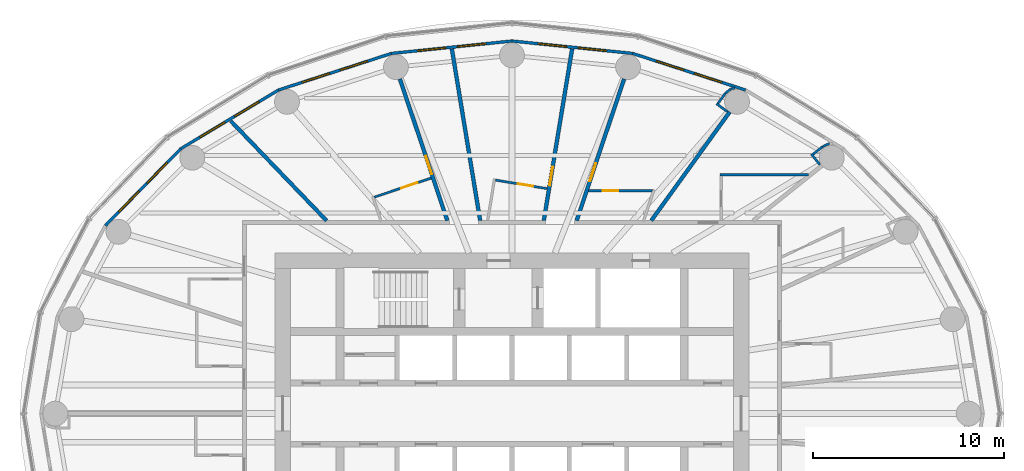
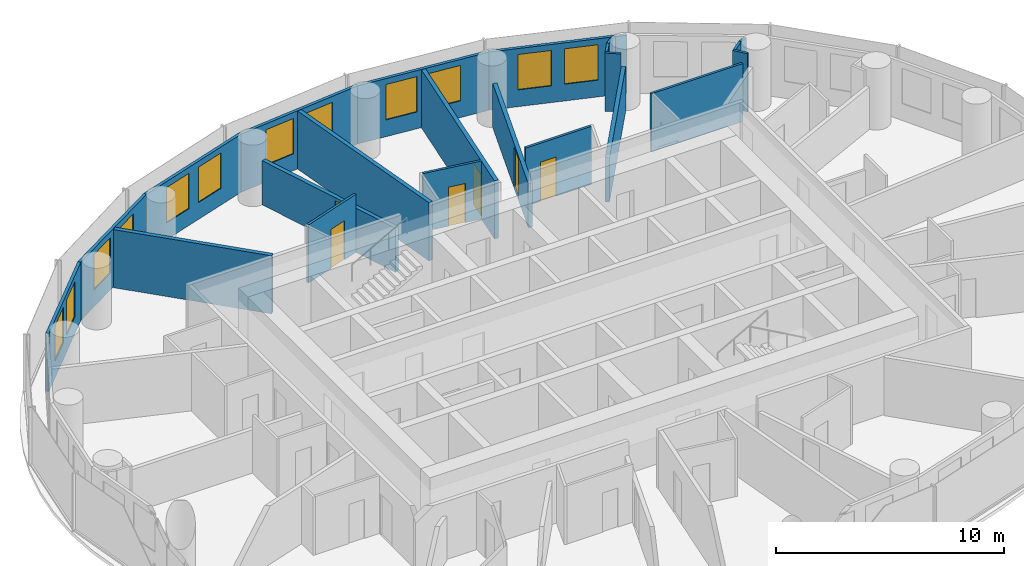
# One storey, part 11 of 13: 23 walls, 12 windows, 6 doors, 18 openings.
"""IFC4 building model written with IfcOpenShell, lengths in metres."""

from ifc_helpers import new_model, si_unit, direction, frame, frame_2d, origin, place, context, subcontext, project, spatial, rectangle, extrude, material, layer, layer_set, type_object, element, fill, save


model = new_model("IFC4")

# Units and contexts
model_context = context("Model", 3, precision=1e-05, world=origin(), true_north=direction((0.0, 1.0)))
body_context = subcontext(model_context, "Body", "Model", "MODEL_VIEW")
ifc_project = project(units=[si_unit("LENGTHUNIT", "METRE"), si_unit("AREAUNIT", "SQUARE_METRE"), si_unit("VOLUMEUNIT", "CUBIC_METRE"), si_unit("PLANEANGLEUNIT", "RADIAN"), si_unit("MASSUNIT", "GRAM", prefix="KILO")], contexts=[model_context])

# Site, building, storey
site_placement = place(None, origin())
site = spatial("IfcSite", under=ifc_project, at=site_placement, CompositionType="ELEMENT")
building_placement = place(site_placement, origin())
building = spatial("IfcBuilding", under=site, at=building_placement, Name="Hankou Lantern Tower", CompositionType="ELEMENT")
storey_placement = place(building_placement, frame((0.0, 0.0, 122.10009765625)))
storey = spatial("IfcBuildingStorey", under=building, at=storey_placement, Name="L31", CompositionType="ELEMENT", Elevation=122.10009765625)

# Wall, openings, windows
ifc_material_1 = material(Name="Aluminium spandrel panel on steel studs", Category="steel")
ifc_layer_1 = layer(ifc_material_1, 0.14990234375)
ifc_layer_set_1 = layer_set([ifc_layer_1], Name="Aluminium spandrel panel on steel studs")
wall_type_1 = type_object("IfcWallType", Name="EW1 INNER SKIN WALL 150", PredefinedType="ELEMENTEDWALL", material=ifc_layer_set_1)
wall_1_placement = place(storey_placement, frame((12.221435546875, 16.9345703125, 0.0), z_axis=(0.0, 0.0, 1.0), x_axis=(-0.951272691506, 0.308350881944, 0.0)))
wall_1 = element("IfcWall", 1, at=wall_1_placement, inside=storey, type_object=wall_type_1, Name="Inner skin R05-R06 L31", PredefinedType="ELEMENTEDWALL", context=body_context, shape_type="SweptSolid", body=[
    extrude(rectangle(XDim=6.210693359375, YDim=0.14990234375, at=frame_2d((3.10546875, 0.0))), origin(), (0.0, 0.0, 1.0), 3.119873046875),
])
opening_1_placement = place(wall_1_placement, frame((1.305419921875, 0.0, 0.89990234375)))
opening_1 = element("IfcOpeningElement", 2, at=opening_1_placement, cuts=wall_1, Name="Opening W2", PredefinedType="OPENING", context=body_context, shape_type="SweptSolid", body=[
    extrude(rectangle(XDim=1.5, YDim=1.89990234375, at=frame_2d((0.75, 0.949951171875))), frame((0.0, 0.0849609375, 0.0), z_axis=(0.0, -1.0, 0.0), x_axis=(1.0, 0.0, 0.0)), (0.0, 0.0, 1.0), 0.169921875),
])
opening_2_placement = place(wall_1_placement, frame((3.4052734375, 0.0, 0.89990234375)))
opening_2 = element("IfcOpeningElement", 3, at=opening_2_placement, cuts=wall_1, Name="Opening W2", PredefinedType="OPENING", context=body_context, shape_type="SweptSolid", body=[
    extrude(rectangle(XDim=1.5, YDim=1.89990234375, at=frame_2d((0.75, 0.949951171875))), frame((0.0, 0.0849609375, 0.0), z_axis=(0.0, -1.0, 0.0), x_axis=(1.0, 0.0, 0.0)), (0.0, 0.0, 1.0), 0.169921875),
])
ifc_material_2 = material(Name="Aluminium framed double glazed window", Category="aluminium")
window_type = type_object("IfcWindowType", Name="W2 GUEST ROOM WINDOW 1500X1900", PartitioningType="DOUBLE_PANEL_VERTICAL", PredefinedType="WINDOW", material=ifc_material_2)
window_1_placement = place(opening_1_placement, origin())
window_1 = element("IfcWindow", 4, at=window_1_placement, inside=storey, type_object=window_type, Name="Window R05.1 L31", OverallHeight=1.89990234375, OverallWidth=1.5, PartitioningType="SINGLE_PANEL", PredefinedType="WINDOW", context=body_context, shape_type="SweptSolid", body=[
    extrude(rectangle(XDim=1.5, YDim=1.89990234375, at=frame_2d((0.75, 0.949951171875))), frame((0.0, 0.030029296875, 0.0), z_axis=(0.0, -1.0, 0.0), x_axis=(1.0, 0.0, 0.0)), (0.0, 0.0, 1.0), 0.06005859375),
])
fill(opening_1, window_1)
window_2_placement = place(opening_2_placement, origin())
window_2 = element("IfcWindow", 5, at=window_2_placement, inside=storey, type_object=window_type, Name="Window R05.2 L31", OverallHeight=1.89990234375, OverallWidth=1.5, PartitioningType="SINGLE_PANEL", PredefinedType="WINDOW", context=body_context, shape_type="SweptSolid", body=[
    extrude(rectangle(XDim=1.5, YDim=1.89990234375, at=frame_2d((0.75, 0.949951171875))), frame((0.0, 0.030029296875, 0.0), z_axis=(0.0, -1.0, 0.0), x_axis=(1.0, 0.0, 0.0)), (0.0, 0.0, 1.0), 0.06005859375),
])
fill(opening_2, window_2)

wall_2_placement = place(storey_placement, frame((6.3134765625, 18.849609375, 0.0), z_axis=(0.0, 0.0, 1.0), x_axis=(-0.994735690163, 0.102473931887, 0.0)))
wall_2 = element("IfcWall", 6, at=wall_2_placement, inside=storey, type_object=wall_type_1, Name="Inner skin R06-R07 L31", PredefinedType="ELEMENTEDWALL", context=body_context, shape_type="SweptSolid", body=[
    extrude(rectangle(XDim=6.346923828125, YDim=0.14990234375, at=frame_2d((3.17333984375, 0.0))), origin(), (0.0, 0.0, 1.0), 3.119873046875),
])
opening_3_placement = place(wall_2_placement, frame((1.373291015625, 0.0, 0.89990234375)))
opening_3 = element("IfcOpeningElement", 7, at=opening_3_placement, cuts=wall_2, Name="Opening W2", PredefinedType="OPENING", context=body_context, shape_type="SweptSolid", body=[
    extrude(rectangle(XDim=1.5, YDim=1.89990234375, at=frame_2d((0.75, 0.949951171875))), frame((0.0, 0.0849609375, 0.0), z_axis=(0.0, -1.0, 0.0), x_axis=(1.0, 0.0, 0.0)), (0.0, 0.0, 1.0), 0.169921875),
])
opening_4_placement = place(wall_2_placement, frame((3.473388671875, 0.0, 0.89990234375)))
opening_4 = element("IfcOpeningElement", 8, at=opening_4_placement, cuts=wall_2, Name="Opening W2", PredefinedType="OPENING", context=body_context, shape_type="SweptSolid", body=[
    extrude(rectangle(XDim=1.5, YDim=1.89990234375, at=frame_2d((0.75, 0.949951171875))), frame((0.0, 0.0849609375, 0.0), z_axis=(0.0, -1.0, 0.0), x_axis=(1.0, 0.0, 0.0)), (0.0, 0.0, 1.0), 0.169921875),
])
window_3_placement = place(opening_3_placement, origin())
window_3 = element("IfcWindow", 9, at=window_3_placement, inside=storey, type_object=window_type, Name="Window R06.1 L31", OverallHeight=1.89990234375, OverallWidth=1.5, PartitioningType="SINGLE_PANEL", PredefinedType="WINDOW", context=body_context, shape_type="SweptSolid", body=[
    extrude(rectangle(XDim=1.5, YDim=1.89990234375, at=frame_2d((0.75, 0.949951171875))), frame((0.0, 0.030029296875, 0.0), z_axis=(0.0, -1.0, 0.0), x_axis=(1.0, 0.0, 0.0)), (0.0, 0.0, 1.0), 0.06005859375),
])
fill(opening_3, window_3)
window_4_placement = place(opening_4_placement, origin())
window_4 = element("IfcWindow", 10, at=window_4_placement, inside=storey, type_object=window_type, Name="Window R06.2 L31", OverallHeight=1.89990234375, OverallWidth=1.5, PartitioningType="SINGLE_PANEL", PredefinedType="WINDOW", context=body_context, shape_type="SweptSolid", body=[
    extrude(rectangle(XDim=1.5, YDim=1.89990234375, at=frame_2d((0.75, 0.949951171875))), frame((0.0, 0.030029296875, 0.0), z_axis=(0.0, -1.0, 0.0), x_axis=(1.0, 0.0, 0.0)), (0.0, 0.0, 1.0), 0.06005859375),
])
fill(opening_4, window_4)

wall_3_placement = place(storey_placement, frame((0.0, 19.5, 0.0), z_axis=(0.0, 0.0, 1.0), x_axis=(-0.994735690163, -0.102473931887, 0.0)))
wall_3 = element("IfcWall", 11, at=wall_3_placement, inside=storey, type_object=wall_type_1, Name="Inner skin R07-R08 L31", PredefinedType="ELEMENTEDWALL", context=body_context, shape_type="SweptSolid", body=[
    extrude(rectangle(XDim=6.346923828125, YDim=0.14990234375, at=frame_2d((3.17333984375, 0.0))), origin(), (0.0, 0.0, 1.0), 3.119873046875),
])
opening_5_placement = place(wall_3_placement, frame((1.373291015625, 0.0, 0.89990234375)))
opening_5 = element("IfcOpeningElement", 12, at=opening_5_placement, cuts=wall_3, Name="Opening W2", PredefinedType="OPENING", context=body_context, shape_type="SweptSolid", body=[
    extrude(rectangle(XDim=1.5, YDim=1.89990234375, at=frame_2d((0.75, 0.949951171875))), frame((0.0, 0.0849609375, 0.0), z_axis=(0.0, -1.0, 0.0), x_axis=(1.0, 0.0, 0.0)), (0.0, 0.0, 1.0), 0.169921875),
])
opening_6_placement = place(wall_3_placement, frame((3.473388671875, 0.0, 0.89990234375)))
opening_6 = element("IfcOpeningElement", 13, at=opening_6_placement, cuts=wall_3, Name="Opening W2", PredefinedType="OPENING", context=body_context, shape_type="SweptSolid", body=[
    extrude(rectangle(XDim=1.5, YDim=1.89990234375, at=frame_2d((0.75, 0.949951171875))), frame((0.0, 0.0849609375, 0.0), z_axis=(0.0, -1.0, 0.0), x_axis=(1.0, 0.0, 0.0)), (0.0, 0.0, 1.0), 0.169921875),
])
window_5_placement = place(opening_5_placement, origin())
window_5 = element("IfcWindow", 14, at=window_5_placement, inside=storey, type_object=window_type, Name="Window R07.1 L31", OverallHeight=1.89990234375, OverallWidth=1.5, PartitioningType="SINGLE_PANEL", PredefinedType="WINDOW", context=body_context, shape_type="SweptSolid", body=[
    extrude(rectangle(XDim=1.5, YDim=1.89990234375, at=frame_2d((0.75, 0.949951171875))), frame((0.0, 0.030029296875, 0.0), z_axis=(0.0, -1.0, 0.0), x_axis=(1.0, 0.0, 0.0)), (0.0, 0.0, 1.0), 0.06005859375),
])
fill(opening_5, window_5)
window_6_placement = place(opening_6_placement, origin())
window_6 = element("IfcWindow", 15, at=window_6_placement, inside=storey, type_object=window_type, Name="Window R07.2 L31", OverallHeight=1.89990234375, OverallWidth=1.5, PartitioningType="SINGLE_PANEL", PredefinedType="WINDOW", context=body_context, shape_type="SweptSolid", body=[
    extrude(rectangle(XDim=1.5, YDim=1.89990234375, at=frame_2d((0.75, 0.949951171875))), frame((0.0, 0.030029296875, 0.0), z_axis=(0.0, -1.0, 0.0), x_axis=(1.0, 0.0, 0.0)), (0.0, 0.0, 1.0), 0.06005859375),
])
fill(opening_6, window_6)

wall_4_placement = place(storey_placement, frame((-6.3134765625, 18.849609375, 0.0), z_axis=(0.0, 0.0, 1.0), x_axis=(-0.951272691506, -0.308350881944, 0.0)))
wall_4 = element("IfcWall", 16, at=wall_4_placement, inside=storey, type_object=wall_type_1, Name="Inner skin R08-R09 L31", PredefinedType="ELEMENTEDWALL", context=body_context, shape_type="SweptSolid", body=[
    extrude(rectangle(XDim=6.210693359375, YDim=0.14990234375, at=frame_2d((3.10546875, 0.0))), origin(), (0.0, 0.0, 1.0), 3.119873046875),
])
opening_7_placement = place(wall_4_placement, frame((1.305419921875, 0.0, 0.89990234375)))
opening_7 = element("IfcOpeningElement", 17, at=opening_7_placement, cuts=wall_4, Name="Opening W2", PredefinedType="OPENING", context=body_context, shape_type="SweptSolid", body=[
    extrude(rectangle(XDim=1.5, YDim=1.89990234375, at=frame_2d((0.75, 0.949951171875))), frame((0.0, 0.0849609375, 0.0), z_axis=(0.0, -1.0, 0.0), x_axis=(1.0, 0.0, 0.0)), (0.0, 0.0, 1.0), 0.169921875),
])
opening_8_placement = place(wall_4_placement, frame((3.4052734375, 0.0, 0.89990234375)))
opening_8 = element("IfcOpeningElement", 18, at=opening_8_placement, cuts=wall_4, Name="Opening W2", PredefinedType="OPENING", context=body_context, shape_type="SweptSolid", body=[
    extrude(rectangle(XDim=1.5, YDim=1.89990234375, at=frame_2d((0.75, 0.949951171875))), frame((0.0, 0.0849609375, 0.0), z_axis=(0.0, -1.0, 0.0), x_axis=(1.0, 0.0, 0.0)), (0.0, 0.0, 1.0), 0.169921875),
])
window_7_placement = place(opening_7_placement, origin())
window_7 = element("IfcWindow", 19, at=window_7_placement, inside=storey, type_object=window_type, Name="Window R08.1 L31", OverallHeight=1.89990234375, OverallWidth=1.5, PartitioningType="SINGLE_PANEL", PredefinedType="WINDOW", context=body_context, shape_type="SweptSolid", body=[
    extrude(rectangle(XDim=1.5, YDim=1.89990234375, at=frame_2d((0.75, 0.949951171875))), frame((0.0, 0.030029296875, 0.0), z_axis=(0.0, -1.0, 0.0), x_axis=(1.0, 0.0, 0.0)), (0.0, 0.0, 1.0), 0.06005859375),
])
fill(opening_7, window_7)
window_8_placement = place(opening_8_placement, origin())
window_8 = element("IfcWindow", 20, at=window_8_placement, inside=storey, type_object=window_type, Name="Window R08.2 L31", OverallHeight=1.89990234375, OverallWidth=1.5, PartitioningType="SINGLE_PANEL", PredefinedType="WINDOW", context=body_context, shape_type="SweptSolid", body=[
    extrude(rectangle(XDim=1.5, YDim=1.89990234375, at=frame_2d((0.75, 0.949951171875))), frame((0.0, 0.030029296875, 0.0), z_axis=(0.0, -1.0, 0.0), x_axis=(1.0, 0.0, 0.0)), (0.0, 0.0, 1.0), 0.06005859375),
])
fill(opening_8, window_8)

wall_5_placement = place(storey_placement, frame((-12.221435546875, 16.9345703125, 0.0), z_axis=(0.0, 0.0, 1.0), x_axis=(-0.857308573723, -0.514802884044, 0.0)))
wall_5 = element("IfcWall", 21, at=wall_5_placement, inside=storey, type_object=wall_type_1, Name="Inner skin R09-R10 L31", PredefinedType="ELEMENTEDWALL", context=body_context, shape_type="SweptSolid", body=[
    extrude(rectangle(XDim=5.961181640625, YDim=0.14990234375, at=frame_2d((2.98046875, 0.0))), origin(), (0.0, 0.0, 1.0), 3.119873046875),
])
opening_9_placement = place(wall_5_placement, frame((1.1806640625, 0.0, 0.89990234375)))
opening_9 = element("IfcOpeningElement", 22, at=opening_9_placement, cuts=wall_5, Name="Opening W2", PredefinedType="OPENING", context=body_context, shape_type="SweptSolid", body=[
    extrude(rectangle(XDim=1.5, YDim=1.89990234375, at=frame_2d((0.75, 0.949951171875))), frame((0.0, 0.0849609375, 0.0), z_axis=(0.0, -1.0, 0.0), x_axis=(1.0, 0.0, 0.0)), (0.0, 0.0, 1.0), 0.169921875),
])
opening_10_placement = place(wall_5_placement, frame((3.280517578125, 0.0, 0.89990234375)))
opening_10 = element("IfcOpeningElement", 23, at=opening_10_placement, cuts=wall_5, Name="Opening W2", PredefinedType="OPENING", context=body_context, shape_type="SweptSolid", body=[
    extrude(rectangle(XDim=1.5, YDim=1.89990234375, at=frame_2d((0.75, 0.949951171875))), frame((0.0, 0.0849609375, 0.0), z_axis=(0.0, -1.0, 0.0), x_axis=(1.0, 0.0, 0.0)), (0.0, 0.0, 1.0), 0.169921875),
])
window_9_placement = place(opening_9_placement, origin())
window_9 = element("IfcWindow", 24, at=window_9_placement, inside=storey, type_object=window_type, Name="Window R09.1 L31", OverallHeight=1.89990234375, OverallWidth=1.5, PartitioningType="SINGLE_PANEL", PredefinedType="WINDOW", context=body_context, shape_type="SweptSolid", body=[
    extrude(rectangle(XDim=1.5, YDim=1.89990234375, at=frame_2d((0.75, 0.949951171875))), frame((0.0, 0.030029296875, 0.0), z_axis=(0.0, -1.0, 0.0), x_axis=(1.0, 0.0, 0.0)), (0.0, 0.0, 1.0), 0.06005859375),
])
fill(opening_9, window_9)
window_10_placement = place(opening_10_placement, origin())
window_10 = element("IfcWindow", 25, at=window_10_placement, inside=storey, type_object=window_type, Name="Window R09.2 L31", OverallHeight=1.89990234375, OverallWidth=1.5, PartitioningType="SINGLE_PANEL", PredefinedType="WINDOW", context=body_context, shape_type="SweptSolid", body=[
    extrude(rectangle(XDim=1.5, YDim=1.89990234375, at=frame_2d((0.75, 0.949951171875))), frame((0.0, 0.030029296875, 0.0), z_axis=(0.0, -1.0, 0.0), x_axis=(1.0, 0.0, 0.0)), (0.0, 0.0, 1.0), 0.06005859375),
])
fill(opening_10, window_10)

wall_6_placement = place(storey_placement, frame((-17.33203125, 13.86572265625, 0.0), z_axis=(0.0, 0.0, 1.0), x_axis=(-0.700136650834, -0.714008872605, 0.0)))
wall_6 = element("IfcWall", 26, at=wall_6_placement, inside=storey, type_object=wall_type_1, Name="Inner skin R10-R11 L31", PredefinedType="ELEMENTEDWALL", context=body_context, shape_type="SweptSolid", body=[
    extrude(rectangle(XDim=5.6494140625, YDim=0.14990234375, at=frame_2d((2.82470703125, 0.0))), origin(), (0.0, 0.0, 1.0), 3.119873046875),
])
opening_11_placement = place(wall_6_placement, frame((1.024658203125, 0.0, 0.89990234375)))
opening_11 = element("IfcOpeningElement", 27, at=opening_11_placement, cuts=wall_6, Name="Opening W2", PredefinedType="OPENING", context=body_context, shape_type="SweptSolid", body=[
    extrude(rectangle(XDim=1.5, YDim=1.89990234375, at=frame_2d((0.75, 0.949951171875))), frame((0.0, 0.0849609375, 0.0), z_axis=(0.0, -1.0, 0.0), x_axis=(1.0, 0.0, 0.0)), (0.0, 0.0, 1.0), 0.169921875),
])
opening_12_placement = place(wall_6_placement, frame((3.12451171875, 0.0, 0.89990234375)))
opening_12 = element("IfcOpeningElement", 28, at=opening_12_placement, cuts=wall_6, Name="Opening W2", PredefinedType="OPENING", context=body_context, shape_type="SweptSolid", body=[
    extrude(rectangle(XDim=1.5, YDim=1.89990234375, at=frame_2d((0.75, 0.949951171875))), frame((0.0, 0.0849609375, 0.0), z_axis=(0.0, -1.0, 0.0), x_axis=(1.0, 0.0, 0.0)), (0.0, 0.0, 1.0), 0.169921875),
])
window_11_placement = place(opening_11_placement, origin())
window_11 = element("IfcWindow", 29, at=window_11_placement, inside=storey, type_object=window_type, Name="Window R10.1 L31", OverallHeight=1.89990234375, OverallWidth=1.5, PartitioningType="SINGLE_PANEL", PredefinedType="WINDOW", context=body_context, shape_type="SweptSolid", body=[
    extrude(rectangle(XDim=1.5, YDim=1.89990234375, at=frame_2d((0.75, 0.949951171875))), frame((0.0, 0.030029296875, 0.0), z_axis=(0.0, -1.0, 0.0), x_axis=(1.0, 0.0, 0.0)), (0.0, 0.0, 1.0), 0.06005859375),
])
fill(opening_11, window_11)
window_12_placement = place(opening_12_placement, origin())
window_12 = element("IfcWindow", 30, at=window_12_placement, inside=storey, type_object=window_type, Name="Window R10.2 L31", OverallHeight=1.89990234375, OverallWidth=1.5, PartitioningType="SINGLE_PANEL", PredefinedType="WINDOW", context=body_context, shape_type="SweptSolid", body=[
    extrude(rectangle(XDim=1.5, YDim=1.89990234375, at=frame_2d((0.75, 0.949951171875))), frame((0.0, 0.030029296875, 0.0), z_axis=(0.0, -1.0, 0.0), x_axis=(1.0, 0.0, 0.0)), (0.0, 0.0, 1.0), 0.06005859375),
])
fill(opening_12, window_12)

# Walls
ifc_material_3 = material(Name="Masonry lightweight concrete block", Category="masonry")
ifc_layer_2 = layer(ifc_material_3, 0.199951171875)
ifc_layer_set_2 = layer_set([ifc_layer_2], Name="Masonry lightweight concrete block")
wall_type_2 = type_object("IfcWallType", Name="IW1 GUEST ROOM PARTY WALL 200", PredefinedType="PARTITIONING", material=ifc_layer_set_2)
wall_7_placement = place(storey_placement, frame((7.2890625, 10.10009765625, 0.0), z_axis=(0.0, 0.0, 1.0), x_axis=(0.585217367024, 0.81087645997, 0.0)))
element("IfcWall", 31, at=wall_7_placement, inside=storey, type_object=wall_type_2, Name="Party wall R05", PredefinedType="PARTITIONING", context=body_context, shape_type="SweptSolid", body=[
    extrude(rectangle(XDim=7.01611328125, YDim=0.199951171875, at=frame_2d((3.508056640625, 0.0))), origin(), (0.0, 0.0, 1.0), 2.369873046875),
])
wall_8_placement = place(storey_placement, frame((-9.706298828125, 10.10009765625, 0.0), z_axis=(0.0, 0.0, 1.0), x_axis=(-0.692944801824, 0.720990639069, 0.0)))
element("IfcWall", 32, at=wall_8_placement, inside=storey, type_object=wall_type_2, Name="Party wall R09-R10", PredefinedType="PARTITIONING", context=body_context, shape_type="SweptSolid", body=[
    extrude(rectangle(XDim=7.23388671875, YDim=0.199951171875, at=frame_2d((3.616943359375, 0.0))), origin(), (0.0, 0.0, 1.0), 3.119873046875),
])

# Wall, opening, door
ifc_material_4 = material(Name="Masonry lightweight concrete block", Category="masonry")
ifc_layer_3 = layer(ifc_material_4, 0.199951171875)
ifc_layer_set_3 = layer_set([ifc_layer_3], Name="Masonry lightweight concrete block")
wall_type_3 = type_object("IfcWallType", Name="IW2 CORRIDOR WALL 200", PredefinedType="PARTITIONING", material=ifc_layer_set_3)
wall_9_placement = place(storey_placement, frame((3.3828125, 10.10009765625, 0.0), z_axis=(0.0, 0.0, 1.0), x_axis=(0.317603705574, 0.948223542318, 0.0)))
wall_9 = element("IfcWall", 33, at=wall_9_placement, inside=storey, type_object=wall_type_3, Name="Corridor spur wall R06", PredefinedType="PARTITIONING", context=body_context, shape_type="SweptSolid", body=[
    extrude(rectangle(XDim=7.822998046875, YDim=0.199951171875, at=frame_2d((3.91162109375, 0.0))), origin(), (0.0, 0.0, 1.0), 2.369873046875),
])
opening_13_placement = place(wall_9_placement, frame((2.168212890625, 0.0, 0.0)))
opening_13 = element("IfcOpeningElement", 34, at=opening_13_placement, cuts=wall_9, Name="Opening D1", PredefinedType="OPENING", context=body_context, shape_type="SweptSolid", body=[
    extrude(rectangle(XDim=1.0, YDim=2.199951171875, at=frame_2d((0.5, 1.10009765625))), frame((0.0, 0.10986328125, 0.0), z_axis=(0.0, -1.0, 0.0), x_axis=(1.0, 0.0, 0.0)), (0.0, 0.0, 1.0), 0.219970703125),
])
ifc_material_5 = material(Name="Steel door leaf", Category="steel")
door_type_1 = type_object("IfcDoorType", Name="D1 GUEST ROOM DOOR 1000X2200", OperationType="SINGLE_SWING_LEFT", PredefinedType="DOOR", material=ifc_material_5)
door_1_placement = place(opening_13_placement, origin())
door_1 = element("IfcDoor", 35, at=door_1_placement, inside=storey, type_object=door_type_1, Name="Guest room door 3120", OperationType="SINGLE_SWING_LEFT", OverallHeight=2.199951171875, OverallWidth=1.0, PredefinedType="DOOR", context=body_context, shape_type="SweptSolid", body=[
    extrude(rectangle(XDim=1.0, YDim=2.199951171875, at=frame_2d((0.5, 1.10009765625))), frame((0.0, 0.02490234375, 0.0), z_axis=(0.0, -1.0, 0.0), x_axis=(1.0, 0.0, 0.0)), (0.0, 0.0, 1.0), 0.050048828125),
])
fill(opening_13, door_1)

wall_10_placement = place(storey_placement, frame((1.665283203125, 10.10009765625, 0.0), z_axis=(0.0, 0.0, 1.0), x_axis=(0.162660519103, 0.986682094459, 0.0)))
wall_10 = element("IfcWall", 36, at=wall_10_placement, inside=storey, type_object=wall_type_3, Name="Corridor spur wall R06-R07", PredefinedType="PARTITIONING", context=body_context, shape_type="SweptSolid", body=[
    extrude(rectangle(XDim=9.110595703125, YDim=0.199951171875, at=frame_2d((4.55517578125, 0.0))), origin(), (0.0, 0.0, 1.0), 3.119873046875),
])
opening_14_placement = place(wall_10_placement, frame((1.860107421875, 0.0, 0.0)))
opening_14 = element("IfcOpeningElement", 37, at=opening_14_placement, cuts=wall_10, Name="Opening D1", PredefinedType="OPENING", context=body_context, shape_type="SweptSolid", body=[
    extrude(rectangle(XDim=1.0, YDim=2.199951171875, at=frame_2d((0.5, 1.10009765625))), frame((0.0, 0.10986328125, 0.0), z_axis=(0.0, -1.0, 0.0), x_axis=(1.0, 0.0, 0.0)), (0.0, 0.0, 1.0), 0.219970703125),
])
door_2_placement = place(opening_14_placement, origin())
door_2 = element("IfcDoor", 38, at=door_2_placement, inside=storey, type_object=door_type_1, Name="Guest room door 3102", OperationType="SINGLE_SWING_LEFT", OverallHeight=2.199951171875, OverallWidth=1.0, PredefinedType="DOOR", context=body_context, shape_type="SweptSolid", body=[
    extrude(rectangle(XDim=1.0, YDim=2.199951171875, at=frame_2d((0.5, 1.10009765625))), frame((0.0, 0.02490234375, 0.0), z_axis=(0.0, -1.0, 0.0), x_axis=(1.0, 0.0, 0.0)), (0.0, 0.0, 1.0), 0.050048828125),
])
fill(opening_14, door_2)

# Wall
wall_11_placement = place(storey_placement, frame((-1.665283203125, 10.10009765625, 0.0), z_axis=(0.0, 0.0, 1.0), x_axis=(-0.162660519103, 0.986682094459, 0.0)))
element("IfcWall", 39, at=wall_11_placement, inside=storey, type_object=wall_type_3, Name="Corridor spur wall R07-R08", PredefinedType="PARTITIONING", context=body_context, shape_type="SweptSolid", body=[
    extrude(rectangle(XDim=9.110595703125, YDim=0.199951171875, at=frame_2d((4.55517578125, 0.0))), origin(), (0.0, 0.0, 1.0), 3.119873046875),
])

# Wall, opening, door
wall_12_placement = place(storey_placement, frame((-3.3828125, 10.10009765625, 0.0), z_axis=(0.0, 0.0, 1.0), x_axis=(-0.317603705574, 0.948223542318, 0.0)))
wall_12 = element("IfcWall", 40, at=wall_12_placement, inside=storey, type_object=wall_type_3, Name="Corridor spur wall R08", PredefinedType="PARTITIONING", context=body_context, shape_type="SweptSolid", body=[
    extrude(rectangle(XDim=7.822998046875, YDim=0.199951171875, at=frame_2d((3.91162109375, 0.0))), origin(), (0.0, 0.0, 1.0), 2.369873046875),
])
opening_15_placement = place(wall_12_placement, frame((2.56005859375, 0.0, 0.0)))
opening_15 = element("IfcOpeningElement", 41, at=opening_15_placement, cuts=wall_12, Name="Opening D1", PredefinedType="OPENING", context=body_context, shape_type="SweptSolid", body=[
    extrude(rectangle(XDim=1.0, YDim=2.199951171875, at=frame_2d((0.5, 1.10009765625))), frame((0.0, 0.10986328125, 0.0), z_axis=(0.0, -1.0, 0.0), x_axis=(1.0, 0.0, 0.0)), (0.0, 0.0, 1.0), 0.219970703125),
])
door_3_placement = place(opening_15_placement, origin())
door_3 = element("IfcDoor", 42, at=door_3_placement, inside=storey, type_object=door_type_1, Name="Guest room door 3104", OperationType="SINGLE_SWING_LEFT", OverallHeight=2.199951171875, OverallWidth=1.0, PredefinedType="DOOR", context=body_context, shape_type="SweptSolid", body=[
    extrude(rectangle(XDim=1.0, YDim=2.199951171875, at=frame_2d((0.5, 1.10009765625))), frame((0.0, 0.02490234375, 0.0), z_axis=(0.0, -1.0, 0.0), x_axis=(1.0, 0.0, 0.0)), (0.0, 0.0, 1.0), 0.050048828125),
])
fill(opening_15, door_3)

ifc_material_6 = material(Name="Masonry lightweight concrete block", Category="masonry")
ifc_layer_4 = layer(ifc_material_6, 0.1201171875)
ifc_layer_set_4 = layer_set([ifc_layer_4], Name="Masonry lightweight concrete block")
wall_type_4 = type_object("IfcWallType", Name="IW3 BATHROOM WALL 120", PredefinedType="PARTITIONING", material=ifc_layer_set_4)
wall_13_placement = place(storey_placement, frame((1.83984375, 11.77392578125, 0.0), z_axis=(0.0, 0.0, 1.0), x_axis=(-0.986676602341, 0.162693830222, 0.0)))
wall_13 = element("IfcWall", 43, at=wall_13_placement, inside=storey, type_object=wall_type_4, Name="Box wall 3102 1", PredefinedType="PARTITIONING", context=body_context, shape_type="SweptSolid", body=[
    extrude(rectangle(XDim=2.740234375, YDim=0.1201171875, at=frame_2d((1.3701171875, 0.0))), origin(), (0.0, 0.0, 1.0), 3.119873046875),
])
opening_16_placement = place(wall_13_placement, frame((0.75, 0.0, 0.0)))
opening_16 = element("IfcOpeningElement", 44, at=opening_16_placement, cuts=wall_13, Name="Opening D3", PredefinedType="OPENING", context=body_context, shape_type="SweptSolid", body=[
    extrude(rectangle(XDim=0.800048828125, YDim=2.10009765625, at=frame_2d((0.39990234375, 1.050048828125))), frame((0.0, 0.070068359375, 0.0), z_axis=(0.0, -1.0, 0.0), x_axis=(1.0, 0.0, 0.0)), (0.0, 0.0, 1.0), 0.14013671875),
])
ifc_material_7 = material(Name="Timber door leaf", Category="wood")
door_type_2 = type_object("IfcDoorType", Name="D3 BATHROOM DOOR 800X2100", OperationType="SINGLE_SWING_LEFT", PredefinedType="DOOR", material=ifc_material_7)
door_4_placement = place(opening_16_placement, origin())
door_4 = element("IfcDoor", 45, at=door_4_placement, inside=storey, type_object=door_type_2, Name="En-suite bathroom 3102 door", OperationType="SINGLE_SWING_LEFT", OverallHeight=2.10009765625, OverallWidth=0.800048828125, PredefinedType="DOOR", context=body_context, shape_type="SweptSolid", body=[
    extrude(rectangle(XDim=0.800048828125, YDim=2.10009765625, at=frame_2d((0.39990234375, 1.050048828125))), frame((0.0, 0.02490234375, 0.0), z_axis=(0.0, -1.0, 0.0), x_axis=(1.0, 0.0, 0.0)), (0.0, 0.0, 1.0), 0.050048828125),
])
fill(opening_16, door_4)

wall_14_placement = place(storey_placement, frame((-4.233642578125, 12.324951171875, 0.0), z_axis=(0.0, 0.0, 1.0), x_axis=(-0.948239154858, -0.317557089663, 0.0)))
wall_14 = element("IfcWall", 46, at=wall_14_placement, inside=storey, type_object=wall_type_4, Name="Box wall 3104 1", PredefinedType="PARTITIONING", context=body_context, shape_type="SweptSolid", body=[
    extrude(rectangle(XDim=3.139892578125, YDim=0.1201171875, at=frame_2d((1.56982421875, 0.0))), origin(), (0.0, 0.0, 1.0), 3.119873046875),
])
opening_17_placement = place(wall_14_placement, frame((0.75, 0.0, 0.0)))
opening_17 = element("IfcOpeningElement", 47, at=opening_17_placement, cuts=wall_14, Name="Opening D26", PredefinedType="OPENING", context=body_context, shape_type="SweptSolid", body=[
    extrude(rectangle(XDim=0.89990234375, YDim=2.10009765625, at=frame_2d((0.449951171875, 1.050048828125))), frame((0.0, 0.070068359375, 0.0), z_axis=(0.0, -1.0, 0.0), x_axis=(1.0, 0.0, 0.0)), (0.0, 0.0, 1.0), 0.14013671875),
])
ifc_material_8 = material(Name="Timber door leaf", Category="wood")
door_type_3 = type_object("IfcDoorType", Name="D26 ACCESSIBLE BATHROOM DOOR 900X2100", OperationType="SLIDING_TO_LEFT", PredefinedType="DOOR", material=ifc_material_8)
door_5_placement = place(opening_17_placement, origin())
door_5 = element("IfcDoor", 48, at=door_5_placement, inside=storey, type_object=door_type_3, Name="Accessible bathroom 3104 door", OperationType="SLIDING_TO_LEFT", OverallHeight=2.10009765625, OverallWidth=0.89990234375, PredefinedType="DOOR", context=body_context, shape_type="SweptSolid", body=[
    extrude(rectangle(XDim=0.89990234375, YDim=2.10009765625, at=frame_2d((0.449951171875, 1.050048828125))), frame((0.0, 0.02490234375, 0.0), z_axis=(0.0, -1.0, 0.0), x_axis=(1.0, 0.0, 0.0)), (0.0, 0.0, 1.0), 0.050048828125),
])
fill(opening_17, door_5)

# Wall
wall_15_placement = place(storey_placement, frame((15.52490234375, 12.5, 0.0), z_axis=(0.0, 0.0, 1.0), x_axis=(-1.0, 0.0, 0.0)))
element("IfcWall", 49, at=wall_15_placement, inside=storey, type_object=wall_type_4, Name="Box wall 3119 1", PredefinedType="PARTITIONING", context=body_context, shape_type="SweptSolid", body=[
    extrude(rectangle(XDim=4.639892578125, YDim=0.1201171875, at=frame_2d((2.31982421875, 0.0))), origin(), (0.0, 0.0, 1.0), 3.119873046875),
])

# Wall, opening, door
wall_16_placement = place(storey_placement, frame((4.01123046875, 11.661376953125, 0.0), z_axis=(0.0, 0.0, 1.0), x_axis=(1.0, 0.0, 0.0)))
wall_16 = element("IfcWall", 50, at=wall_16_placement, inside=storey, type_object=wall_type_4, Name="Box wall 3120 1", PredefinedType="PARTITIONING", context=body_context, shape_type="SweptSolid", body=[
    extrude(rectangle(XDim=3.340087890625, YDim=0.1201171875, at=frame_2d((1.669921875, 0.0))), origin(), (0.0, 0.0, 1.0), 3.119873046875),
])
opening_18_placement = place(wall_16_placement, frame((0.75, 0.0, 0.0)))
opening_18 = element("IfcOpeningElement", 51, at=opening_18_placement, cuts=wall_16, Name="Opening D3", PredefinedType="OPENING", context=body_context, shape_type="SweptSolid", body=[
    extrude(rectangle(XDim=0.800048828125, YDim=2.10009765625, at=frame_2d((0.39990234375, 1.050048828125))), frame((0.0, 0.070068359375, 0.0), z_axis=(0.0, -1.0, 0.0), x_axis=(1.0, 0.0, 0.0)), (0.0, 0.0, 1.0), 0.14013671875),
])
door_6_placement = place(opening_18_placement, origin())
door_6 = element("IfcDoor", 52, at=door_6_placement, inside=storey, type_object=door_type_2, Name="En-suite bathroom 3120 door", OperationType="SINGLE_SWING_LEFT", OverallHeight=2.10009765625, OverallWidth=0.800048828125, PredefinedType="DOOR", context=body_context, shape_type="SweptSolid", body=[
    extrude(rectangle(XDim=0.800048828125, YDim=2.10009765625, at=frame_2d((0.39990234375, 1.050048828125))), frame((0.0, 0.02490234375, 0.0), z_axis=(0.0, -1.0, 0.0), x_axis=(1.0, 0.0, 0.0)), (0.0, 0.0, 1.0), 0.050048828125),
])
fill(opening_18, door_6)

# Walls
ifc_material_9 = material(Name="Masonry lightweight concrete block", Category="masonry")
ifc_layer_5 = layer(ifc_material_9, 0.1201171875)
ifc_layer_set_5 = layer_set([ifc_layer_5], Name="Masonry lightweight concrete block")
wall_type_5 = type_object("IfcWallType", Name="IW4 PARTITION 120", PredefinedType="PARTITIONING", material=ifc_layer_set_5)
wall_17_placement = place(storey_placement, frame((16.116943359375, 13.021728515625, 0.0), z_axis=(0.0, 0.0, 1.0), x_axis=(-0.62465344249, 0.780902091677, 0.0)))
element("IfcWall", 53, at=wall_17_placement, inside=storey, type_object=wall_type_5, Name="Column casing R04 return", PredefinedType="PARTITIONING", context=body_context, shape_type="SweptSolid", body=[
    extrude(rectangle(XDim=0.715576171875, YDim=0.1201171875, at=frame_2d((0.35791015625, 0.0))), origin(), (0.0, 0.0, 1.0), 3.119873046875),
])
wall_18_placement = place(storey_placement, frame((15.754150390625, 13.5712890625, 0.0), z_axis=(0.0, 0.0, 1.0), x_axis=(0.780905453553, 0.624649239663, 0.0)))
element("IfcWall", 54, at=wall_18_placement, inside=storey, type_object=wall_type_5, Name="Column casing R04", PredefinedType="PARTITIONING", context=body_context, shape_type="SweptSolid", body=[
    extrude(rectangle(XDim=0.64990234375, YDim=0.1201171875, at=frame_2d((0.324951171875, 0.0))), origin(), (0.0, 0.0, 1.0), 3.119873046875),
])
wall_19_placement = place(storey_placement, frame((16.26171875, 13.977294921875, 0.0), z_axis=(0.0, 0.0, 1.0), x_axis=(0.915985403703, 0.401211590314, 0.0)))
element("IfcWall", 55, at=wall_19_placement, inside=storey, type_object=wall_type_5, Name="Column casing R04", PredefinedType="PARTITIONING", context=body_context, shape_type="SweptSolid", body=[
    extrude(rectangle(XDim=0.391357421875, YDim=0.1201171875, at=frame_2d((0.19580078125, 0.0))), origin(), (0.0, 0.0, 1.0), 3.119873046875),
])
wall_20_placement = place(storey_placement, frame((11.27880859375, 15.799072265625, 0.0), z_axis=(0.0, 0.0, 1.0), x_axis=(-0.810912957127, 0.585166793285, 0.0)))
element("IfcWall", 56, at=wall_20_placement, inside=storey, type_object=wall_type_5, Name="Column casing R05 return", PredefinedType="PARTITIONING", context=body_context, shape_type="SweptSolid", body=[
    extrude(rectangle(XDim=0.7158203125, YDim=0.1201171875, at=frame_2d((0.35791015625, 0.0))), origin(), (0.0, 0.0, 1.0), 3.119873046875),
])
wall_21_placement = place(storey_placement, frame((10.781982421875, 16.2314453125, 0.0), z_axis=(0.0, 0.0, 1.0), x_axis=(0.585175102182, 0.810906961239, 0.0)))
element("IfcWall", 57, at=wall_21_placement, inside=storey, type_object=wall_type_5, Name="Column casing R05", PredefinedType="PARTITIONING", context=body_context, shape_type="SweptSolid", body=[
    extrude(rectangle(XDim=0.64990234375, YDim=0.1201171875, at=frame_2d((0.324951171875, 0.0))), origin(), (0.0, 0.0, 1.0), 3.119873046875),
])
wall_22_placement = place(storey_placement, frame((11.162353515625, 16.758544921875, 0.0), z_axis=(0.0, 0.0, 1.0), x_axis=(0.775178428527, 0.63174235567, 0.0)))
element("IfcWall", 58, at=wall_22_placement, inside=storey, type_object=wall_type_5, Name="Column casing R05", PredefinedType="PARTITIONING", context=body_context, shape_type="SweptSolid", body=[
    extrude(rectangle(XDim=0.3916015625, YDim=0.1201171875, at=frame_2d((0.19580078125, 0.0))), origin(), (0.0, 0.0, 1.0), 3.119873046875),
])
wall_23_placement = place(storey_placement, frame((11.4658203125, 17.005859375, 0.0), z_axis=(0.0, 0.0, 1.0), x_axis=(0.987228877621, 0.15930832744, 0.0)))
element("IfcWall", 59, at=wall_23_placement, inside=storey, type_object=wall_type_5, Name="Column casing R05", PredefinedType="PARTITIONING", context=body_context, shape_type="SweptSolid", body=[
    extrude(rectangle(XDim=0.202392578125, YDim=0.1201171875, at=frame_2d((0.10107421875, 0.0))), origin(), (0.0, 0.0, 1.0), 3.119873046875),
])

save(model, "model.ifc")
